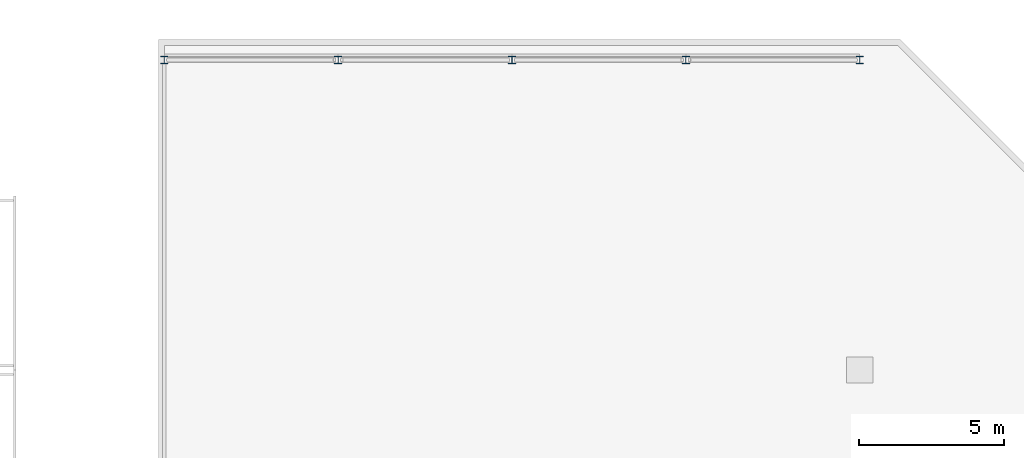
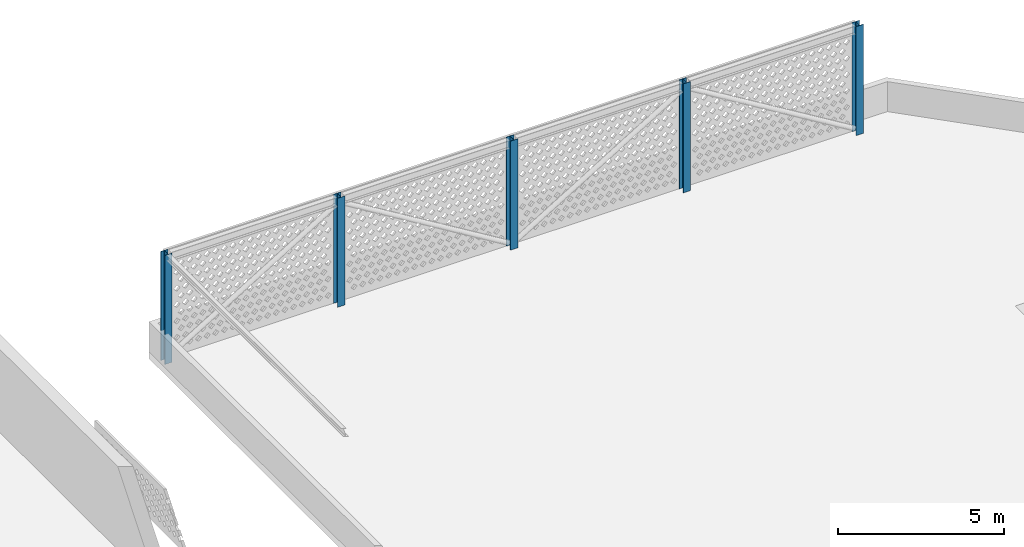
# One storey, part 3 of 18: 5 columns.
"""IFC4 building model written with IfcOpenShell, lengths in metres."""

from ifc_helpers import new_model, si_unit, direction, frame, origin, origin_2d, place, context, subcontext, project, spatial, i_section, extrude, source, transform, mapped, material, material_profile, profile_set, type_object, element, save


model = new_model("IFC4")

# Units and contexts
model_context = context("Model", 3, precision=1e-05, world=origin(), true_north=direction((0.0, 1.0)))
body_context = subcontext(model_context, "Body", "Model", "MODEL_VIEW")
ifc_project = project(units=[si_unit("LENGTHUNIT", "METRE"), si_unit("AREAUNIT", "SQUARE_METRE"), si_unit("VOLUMEUNIT", "CUBIC_METRE"), si_unit("PLANEANGLEUNIT", "RADIAN"), si_unit("MASSUNIT", "GRAM", prefix="KILO")], contexts=[model_context])

# Site, building, storey
site_placement = place(None, origin())
site = spatial("IfcSite", under=ifc_project, at=site_placement, CompositionType="ELEMENT")
building_placement = place(site_placement, origin())
building = spatial("IfcBuilding", under=site, at=building_placement, Name="Poui Terraces", CompositionType="ELEMENT")
storey_placement = place(building_placement, frame((0.0, 0.0, 285.60009765625)))
storey = spatial("IfcBuildingStorey", under=building, at=storey_placement, Name="L79 CROWN", CompositionType="ELEMENT", Elevation=285.60009765625)

# Columns
ifc_material = material(Name="Steel Grade 300 MPa", Category="steel")
ifc_material_profile = material_profile(ifc_material, i_section(OverallWidth=0.25390625, OverallDepth=0.25390625, WebThickness=0.008544921875, FlangeThickness=0.01416015625, FilletRadius=0.013916015625, at=origin_2d()), Name="250UC72.9")
ifc_profile_set = profile_set([ifc_material_profile], Name="Steel Grade 300 MPa")
column_type = type_object("IfcColumnType", Name="SCREEN FRAME POST 250UC72.9", PredefinedType="COLUMN", material=ifc_profile_set)
shared_shape = source(origin(), body_context, "Body", "SweptSolid", [
    extrude(i_section(OverallWidth=0.25390625, OverallDepth=0.25390625, WebThickness=0.008544921875, FlangeThickness=0.01416015625, FilletRadius=0.013916015625, at=origin_2d()), origin(), (0.0, 0.0, 1.0), 4.0),
])
for number, where, z_axis, x_axis, name in (
    (1, (54.0, 40.699951171875, 0.0), (0.0, 0.0, 1.0), (1.0, 0.0, 0.0), "SCREEN FRAME POST N10"),
    (2, (60.0, 40.699951171875, 0.0), (0.0, 0.0, 1.0), (1.0, 0.0, 0.0), "SCREEN FRAME POST N11"),
    (3, (66.0, 40.699951171875, 0.0), (0.0, 0.0, 1.0), (1.0, 0.0, 0.0), "SCREEN FRAME POST N12"),
    (4, (72.0, 40.699951171875, 0.0), (0.0, 0.0, 1.0), (1.0, 0.0, 0.0), "SCREEN FRAME POST N13"),
    (5, (78.0, 40.699951171875, 0.0), (0.0, 0.0, 1.0), (1.0, 0.0, 0.0), "SCREEN FRAME POST N14"),
):
    element("IfcColumn", number, at=place(storey_placement, frame(where, z_axis=z_axis, x_axis=x_axis)), inside=storey, type_object=column_type, Name=name, PredefinedType="COLUMN", context=body_context, shape_type="MappedRepresentation", body=[
        mapped(shared_shape, transform((0.0, 0.0, 0.0))),
    ])

save(model, "model.ifc")
